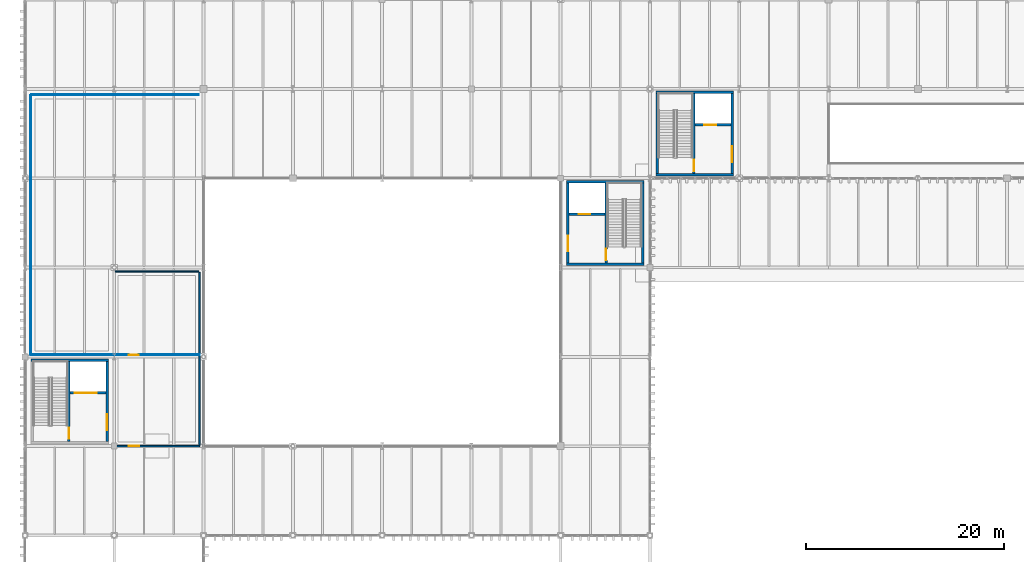
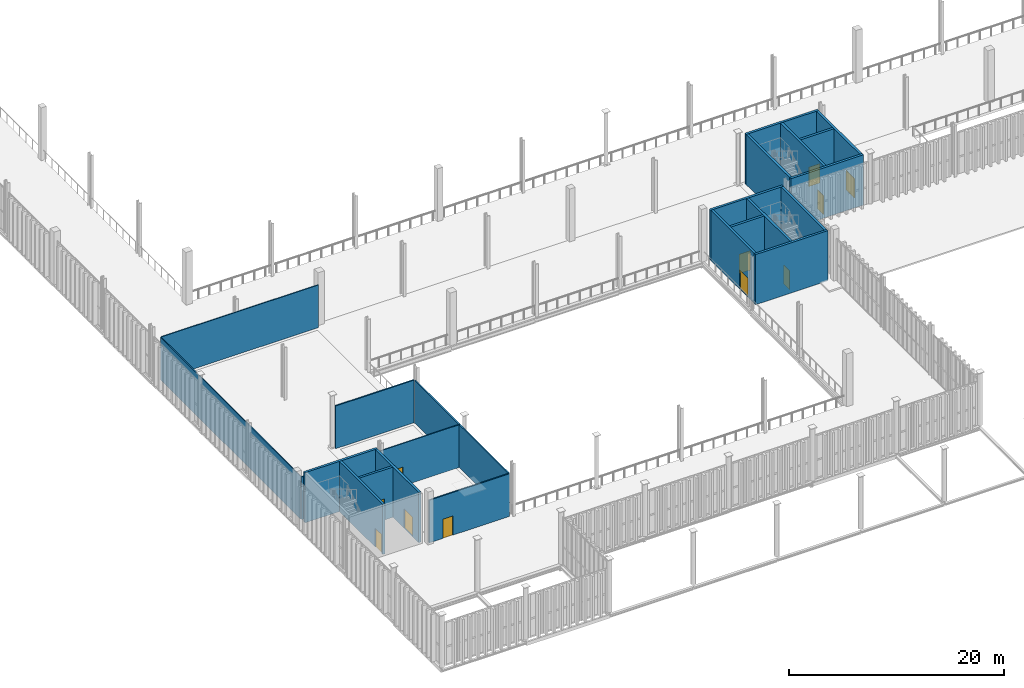
# One storey, part 176 of 211: 22 walls, 11 doors, 11 openings.
"""IFC4 building model written with IfcOpenShell, lengths in metres."""

from ifc_helpers import new_model, si_unit, direction, frame, frame_2d, origin, place, context, subcontext, project, spatial, rectangle, extrude, material, layer, layer_set, type_object, element, fill, save


model = new_model("IFC4")

# Units and contexts
model_context = context("Model", 3, precision=1e-05, world=origin(), true_north=direction((0.0, 1.0)))
body_context = subcontext(model_context, "Body", "Model", "MODEL_VIEW")
ifc_project = project(units=[si_unit("LENGTHUNIT", "METRE"), si_unit("AREAUNIT", "SQUARE_METRE"), si_unit("VOLUMEUNIT", "CUBIC_METRE"), si_unit("PLANEANGLEUNIT", "RADIAN"), si_unit("MASSUNIT", "GRAM", prefix="KILO")], contexts=[model_context])

# Site, building, storey
site_placement = place(None, origin())
site = spatial("IfcSite", under=ifc_project, at=site_placement, CompositionType="ELEMENT")
building_placement = place(site_placement, origin())
building = spatial("IfcBuilding", under=site, at=building_placement, Name="Barlavento Convention Centre", CompositionType="ELEMENT")
storey_placement = place(building_placement, frame((0.0, 0.0, 6.0)))
storey = spatial("IfcBuildingStorey", under=building, at=storey_placement, Name="L01", CompositionType="ELEMENT", Elevation=6.0)

# Wall, opening, door
ifc_material_1 = material(Name="Glazed office partition", Category="glass")
ifc_layer_1 = layer(ifc_material_1, 0.094970703125)
ifc_layer_set_1 = layer_set([ifc_layer_1], Name="ARC-WL-PART-095")
wall_type_1 = type_object("IfcWallType", Name="ARC-WL-PART-095", PredefinedType="PARTITIONING", material=ifc_layer_set_1)
wall_1_placement = place(storey_placement, frame((0.60009765625, 27.199951171875, 0.0), z_axis=(0.0, 0.0, 1.0), x_axis=(1.0, 0.0, 0.0)))
wall_1 = element("IfcWall", 1, at=wall_1_placement, inside=storey, type_object=wall_type_1, Name="L01 interior wall PT-07", PredefinedType="PARTITIONING", context=body_context, shape_type="SweptSolid", body=[
    extrude(rectangle(XDim=17.0, YDim=0.094970703125, at=frame_2d((8.5, 0.0))), origin(), (0.0, 0.0, 1.0), 4.85009765625),
])
opening_1_placement = place(wall_1_placement, frame((9.85009765625, 0.0, 0.0)))
opening_1 = element("IfcOpeningElement", 2, at=opening_1_placement, cuts=wall_1, Name="Opening ID-07", PredefinedType="OPENING", context=body_context, shape_type="SweptSolid", body=[
    extrude(rectangle(XDim=1.02001953125, YDim=2.14990234375, at=frame_2d((0.510009765625, 1.074951171875))), frame((0.0, 0.057373046875, 0.0), z_axis=(0.0, -1.0, 0.0), x_axis=(1.0, 0.0, 0.0)), (0.0, 0.0, 1.0), 0.114990234375),
])
ifc_material_2 = material(Name="Timber veneer acoustic core", Category="wood")
door_type_1 = type_object("IfcDoorType", Name="ARC-DR-ROOM-1020X2150", OperationType="NOTDEFINED", PredefinedType="DOOR", material=ifc_material_2)
door_1_placement = place(opening_1_placement, origin())
door_1 = element("IfcDoor", 3, at=door_1_placement, inside=storey, type_object=door_type_1, Name="DR-INT-L01-0222 L01 interior door ID-07", OperationType="SINGLE_SWING_LEFT", OverallHeight=2.14990234375, OverallWidth=1.02001953125, PredefinedType="DOOR", context=body_context, shape_type="SweptSolid", body=[
    extrude(rectangle(XDim=1.02001953125, YDim=2.14990234375, at=frame_2d((0.510009765625, 1.074951171875))), frame((0.0, 0.02490234375, 0.0), z_axis=(0.0, -1.0, 0.0), x_axis=(1.0, 0.0, 0.0)), (0.0, 0.0, 1.0), 0.050048828125),
])
fill(opening_1, door_1)

# Walls
wall_2_placement = place(storey_placement, frame((0.656982421875, 53.39990234375, 0.0), z_axis=(0.0, 0.0, 1.0), x_axis=(1.0, 0.0, 0.0)))
element("IfcWall", 4, at=wall_2_placement, inside=storey, type_object=wall_type_1, Name="L01 interior wall PT-07", PredefinedType="PARTITIONING", context=body_context, shape_type="SweptSolid", body=[
    extrude(rectangle(XDim=16.885986328125, YDim=0.094970703125, at=frame_2d((8.44287109375, 0.0))), origin(), (0.0, 0.0, 1.0), 4.85009765625),
])
wall_3_placement = place(storey_placement, frame((0.60009765625, 27.257080078125, 0.0), z_axis=(0.0, 0.0, 1.0), x_axis=(0.0, 1.0, 0.0)))
element("IfcWall", 5, at=wall_3_placement, inside=storey, type_object=wall_type_1, Name="L01 interior wall PT-07", PredefinedType="PARTITIONING", context=body_context, shape_type="SweptSolid", body=[
    extrude(rectangle(XDim=26.0859375, YDim=0.094970703125, at=frame_2d((13.04296875, 0.0))), origin(), (0.0, 0.0, 1.0), 4.85009765625),
])

# Wall, opening, door
ifc_material_3 = material(Name="Insulated gypsum partition")
ifc_layer_2 = layer(ifc_material_3, 0.139892578125)
ifc_layer_set_2 = layer_set([ifc_layer_2], Name="ARC-WL-PART-140")
wall_type_2 = type_object("IfcWallType", Name="ARC-WL-PART-140", PredefinedType="PARTITIONING", material=ifc_layer_set_2)
wall_4_placement = place(storey_placement, frame((9.0, 18.0, 0.0), z_axis=(0.0, 0.0, 1.0), x_axis=(1.0, 0.0, 0.0)))
wall_4 = element("IfcWall", 6, at=wall_4_placement, inside=storey, type_object=wall_type_2, Name="L01 interior wall PT-04", PredefinedType="PARTITIONING", context=body_context, shape_type="SweptSolid", body=[
    extrude(rectangle(XDim=8.60009765625, YDim=0.139892578125, at=frame_2d((4.300048828125, 0.0))), origin(), (0.0, 0.0, 1.0), 4.85009765625),
])
opening_2_placement = place(wall_4_placement, frame((1.449951171875, 0.0, 0.0)))
opening_2 = element("IfcOpeningElement", 7, at=opening_2_placement, cuts=wall_4, Name="Opening ID-06", PredefinedType="OPENING", context=body_context, shape_type="SweptSolid", body=[
    extrude(rectangle(XDim=1.080078125, YDim=2.179931640625, at=frame_2d((0.5400390625, 1.08984375))), frame((0.0, 0.079833984375, 0.0), z_axis=(0.0, -1.0, 0.0), x_axis=(1.0, 0.0, 0.0)), (0.0, 0.0, 1.0), 0.159912109375),
])
door_type_2 = type_object("IfcDoorType", Name="ARC-DR-ROOM-1080X2180", OperationType="NOTDEFINED", PredefinedType="DOOR", material=ifc_material_2)
door_2_placement = place(opening_2_placement, origin())
door_2 = element("IfcDoor", 8, at=door_2_placement, inside=storey, type_object=door_type_2, Name="DR-INT-L01-0221 L01 interior door ID-06", OperationType="SINGLE_SWING_RIGHT", OverallHeight=2.179931640625, OverallWidth=1.080078125, PredefinedType="DOOR", context=body_context, shape_type="SweptSolid", body=[
    extrude(rectangle(XDim=1.080078125, YDim=2.179931640625, at=frame_2d((0.5400390625, 1.08984375))), frame((0.0, 0.02490234375, 0.0), z_axis=(0.0, -1.0, 0.0), x_axis=(1.0, 0.0, 0.0)), (0.0, 0.0, 1.0), 0.050048828125),
])
fill(opening_2, door_2)

# Walls
wall_5_placement = place(storey_placement, frame((9.083984375, 35.60009765625, 0.0), z_axis=(0.0, 0.0, 1.0), x_axis=(1.0, 0.0, 0.0)))
element("IfcWall", 9, at=wall_5_placement, inside=storey, type_object=wall_type_2, Name="L01 interior wall PT-04", PredefinedType="PARTITIONING", context=body_context, shape_type="SweptSolid", body=[
    extrude(rectangle(XDim=8.43212890625, YDim=0.139892578125, at=frame_2d((4.216064453125, 0.0))), origin(), (0.0, 0.0, 1.0), 4.85009765625),
])
wall_6_placement = place(storey_placement, frame((17.60009765625, 18.083984375, 0.0), z_axis=(0.0, 0.0, 1.0), x_axis=(0.0, 1.0, 0.0)))
element("IfcWall", 10, at=wall_6_placement, inside=storey, type_object=wall_type_2, Name="L01 interior wall PT-04", PredefinedType="PARTITIONING", context=body_context, shape_type="SweptSolid", body=[
    extrude(rectangle(XDim=17.43212890625, YDim=0.139892578125, at=frame_2d((8.716064453125, 0.0))), origin(), (0.0, 0.0, 1.0), 4.85009765625),
])

# Wall, opening, door
ifc_material_4 = material(Name="Concrete C50/60", Category="concrete")
ifc_layer_3 = layer(ifc_material_4, 0.25)
ifc_layer_set_3 = layer_set([ifc_layer_3], Name="STR-WL-CORE-250")
wall_type_3 = type_object("IfcWallType", Name="STR-WL-CORE-250", PredefinedType="SHEAR", material=ifc_layer_set_3)
wall_7_placement = place(storey_placement, frame((8.27490234375, 18.469970703125, 0.0), z_axis=(0.0, 0.0, 1.0), x_axis=(0.0, 1.0, 0.0)))
wall_7 = element("IfcWall", 11, at=wall_7_placement, inside=storey, type_object=wall_type_3, Name="L01 interior wall CW-02", PredefinedType="SHEAR", context=body_context, shape_type="SweptSolid", body=[
    extrude(rectangle(XDim=8.06005859375, YDim=0.25, at=frame_2d((4.030029296875, 0.0))), origin(), (0.0, 0.0, 1.0), 5.699951171875),
])
opening_3_placement = place(wall_7_placement, frame((1.14990234375, 0.0, 0.0)))
opening_3 = element("IfcOpeningElement", 12, at=opening_3_placement, cuts=wall_7, Name="Opening FD-02", PredefinedType="OPENING", context=body_context, shape_type="SweptSolid", body=[
    extrude(rectangle(XDim=1.60009765625, YDim=2.199951171875, at=frame_2d((0.800048828125, 1.10009765625))), frame((0.0, 0.135009765625, 0.0), z_axis=(0.0, -1.0, 0.0), x_axis=(1.0, 0.0, 0.0)), (0.0, 0.0, 1.0), 0.27001953125),
])
ifc_material_5 = material(Name="Painted galvanized steel", Category="steel")
door_type_3 = type_object("IfcDoorType", Name="ARC-DR-FIRE-1600X2200", OperationType="DOUBLE_DOOR_SINGLE_SWING", PredefinedType="DOOR", material=ifc_material_5)
door_3_placement = place(opening_3_placement, origin())
door_3 = element("IfcDoor", 13, at=door_3_placement, inside=storey, type_object=door_type_3, Name="DR-INT-L01-0009 L01 LF1 lobby fire door", OperationType="DOUBLE_DOOR_SINGLE_SWING", OverallHeight=2.199951171875, OverallWidth=1.60009765625, PredefinedType="DOOR", context=body_context, shape_type="SweptSolid", body=[
    extrude(rectangle(XDim=1.60009765625, YDim=2.199951171875, at=frame_2d((0.800048828125, 1.10009765625))), frame((0.0, 0.02490234375, 0.0), z_axis=(0.0, -1.0, 0.0), x_axis=(1.0, 0.0, 0.0)), (0.0, 0.0, 1.0), 0.050048828125),
])
fill(opening_3, door_3)

# Wall
wall_8_placement = place(storey_placement, frame((0.60009765625, 26.655029296875, 0.0), z_axis=(0.0, 0.0, 1.0), x_axis=(1.0, 0.0, 0.0)))
element("IfcWall", 14, at=wall_8_placement, inside=storey, type_object=wall_type_3, Name="L01 interior wall CW-02", PredefinedType="SHEAR", context=body_context, shape_type="SweptSolid", body=[
    extrude(rectangle(XDim=7.7998046875, YDim=0.25, at=frame_2d((3.89990234375, 0.0))), origin(), (0.0, 0.0, 1.0), 5.699951171875),
])

# Wall, opening, door
wall_9_placement = place(storey_placement, frame((4.4150390625, 18.469970703125, 0.0), z_axis=(0.0, 0.0, 1.0), x_axis=(0.0, 1.0, 0.0)))
wall_9 = element("IfcWall", 15, at=wall_9_placement, inside=storey, type_object=wall_type_3, Name="L01 interior wall CW-02", PredefinedType="SHEAR", context=body_context, shape_type="SweptSolid", body=[
    extrude(rectangle(XDim=8.06005859375, YDim=0.25, at=frame_2d((4.030029296875, 0.0))), origin(), (0.0, 0.0, 1.0), 5.699951171875),
])
opening_4_placement = place(wall_9_placement, frame((0.25, 0.0, 0.0)))
opening_4 = element("IfcOpeningElement", 16, at=opening_4_placement, cuts=wall_9, Name="Opening FD-03", PredefinedType="OPENING", context=body_context, shape_type="SweptSolid", body=[
    extrude(rectangle(XDim=1.14990234375, YDim=2.14990234375, at=frame_2d((0.574951171875, 1.074951171875))), frame((0.0, 0.135009765625, 0.0), z_axis=(0.0, -1.0, 0.0), x_axis=(1.0, 0.0, 0.0)), (0.0, 0.0, 1.0), 0.27001953125),
])
door_type_4 = type_object("IfcDoorType", Name="ARC-DR-FIRE-1150X2150", OperationType="NOTDEFINED", PredefinedType="DOOR", material=ifc_material_5)
door_4_placement = place(opening_4_placement, origin())
door_4 = element("IfcDoor", 17, at=door_4_placement, inside=storey, type_object=door_type_4, Name="DR-INT-L01-0007 L01 ST01 stair fire door FD-03", OperationType="SINGLE_SWING_LEFT", OverallHeight=2.14990234375, OverallWidth=1.14990234375, PredefinedType="DOOR", context=body_context, shape_type="SweptSolid", body=[
    extrude(rectangle(XDim=1.14990234375, YDim=2.14990234375, at=frame_2d((0.574951171875, 1.074951171875))), frame((0.0, 0.02490234375, 0.0), z_axis=(0.0, -1.0, 0.0), x_axis=(1.0, 0.0, 0.0)), (0.0, 0.0, 1.0), 0.050048828125),
])
fill(opening_4, door_4)

wall_10_placement = place(storey_placement, frame((4.5400390625, 23.3701171875, 0.0), z_axis=(0.0, 0.0, 1.0), x_axis=(1.0, 0.0, 0.0)))
wall_10 = element("IfcWall", 18, at=wall_10_placement, inside=storey, type_object=wall_type_3, Name="L01 interior wall CW-02", PredefinedType="SHEAR", context=body_context, shape_type="SweptSolid", body=[
    extrude(rectangle(XDim=3.60986328125, YDim=0.25, at=frame_2d((1.804931640625, 0.0))), origin(), (0.0, 0.0, 1.0), 5.699951171875),
])
opening_5_placement = place(wall_10_placement, frame((0.5, 0.0, 0.0)))
opening_5 = element("IfcOpeningElement", 19, at=opening_5_placement, cuts=wall_10, Name="Opening LD-03", PredefinedType="OPENING", context=body_context, shape_type="SweptSolid", body=[
    extrude(rectangle(XDim=2.199951171875, YDim=2.39990234375, at=frame_2d((1.10009765625, 1.199951171875))), frame((0.0, 0.135009765625, 0.0), z_axis=(0.0, -1.0, 0.0), x_axis=(1.0, 0.0, 0.0)), (0.0, 0.0, 1.0), 0.27001953125),
])
ifc_material_6 = material(Name="Brushed stainless steel", Category="steel")
door_type_5 = type_object("IfcDoorType", Name="ARC-DR-LIFT-2200X2400", OperationType="DOUBLE_DOOR_SLIDING", PredefinedType="DOOR", material=ifc_material_6)
door_5_placement = place(opening_5_placement, origin())
door_5 = element("IfcDoor", 20, at=door_5_placement, inside=storey, type_object=door_type_5, Name="DR-INT-L01-0008 LF1 lift sliding landing door", OperationType="DOUBLE_DOOR_SLIDING", OverallHeight=2.39990234375, OverallWidth=2.199951171875, PredefinedType="DOOR", context=body_context, shape_type="SweptSolid", body=[
    extrude(rectangle(XDim=2.199951171875, YDim=2.39990234375, at=frame_2d((1.10009765625, 1.199951171875))), frame((0.0, 0.02490234375, 0.0), z_axis=(0.0, -1.0, 0.0), x_axis=(1.0, 0.0, 0.0)), (0.0, 0.0, 1.0), 0.050048828125),
])
fill(opening_5, door_5)

wall_11_placement = place(storey_placement, frame((54.72509765625, 36.469970703125, 0.0), z_axis=(0.0, 0.0, 1.0), x_axis=(0.0, 1.0, 0.0)))
wall_11 = element("IfcWall", 21, at=wall_11_placement, inside=storey, type_object=wall_type_3, Name="L01 interior wall CW-02", PredefinedType="SHEAR", context=body_context, shape_type="SweptSolid", body=[
    extrude(rectangle(XDim=8.06005859375, YDim=0.25, at=frame_2d((4.030029296875, 0.0))), origin(), (0.0, 0.0, 1.0), 5.699951171875),
])
opening_6_placement = place(wall_11_placement, frame((1.14990234375, 0.0, 0.0)))
opening_6 = element("IfcOpeningElement", 22, at=opening_6_placement, cuts=wall_11, Name="Opening FD-02", PredefinedType="OPENING", context=body_context, shape_type="SweptSolid", body=[
    extrude(rectangle(XDim=1.60009765625, YDim=2.199951171875, at=frame_2d((0.800048828125, 1.10009765625))), frame((0.0, 0.135009765625, 0.0), z_axis=(0.0, -1.0, 0.0), x_axis=(1.0, 0.0, 0.0)), (0.0, 0.0, 1.0), 0.27001953125),
])
door_6_placement = place(opening_6_placement, origin())
door_6 = element("IfcDoor", 23, at=door_6_placement, inside=storey, type_object=door_type_3, Name="DR-INT-L01-0021 L01 LP1 lobby fire door", OperationType="DOUBLE_DOOR_SINGLE_SWING", OverallHeight=2.199951171875, OverallWidth=1.60009765625, PredefinedType="DOOR", context=body_context, shape_type="SweptSolid", body=[
    extrude(rectangle(XDim=1.60009765625, YDim=2.199951171875, at=frame_2d((0.800048828125, 1.10009765625))), frame((0.0, 0.02490234375, 0.0), z_axis=(0.0, -1.0, 0.0), x_axis=(1.0, 0.0, 0.0)), (0.0, 0.0, 1.0), 0.050048828125),
])
fill(opening_6, door_6)

# Walls
wall_12_placement = place(storey_placement, frame((62.27490234375, 36.469970703125, 0.0), z_axis=(0.0, 0.0, 1.0), x_axis=(0.0, 1.0, 0.0)))
element("IfcWall", 24, at=wall_12_placement, inside=storey, type_object=wall_type_3, Name="L01 interior wall CW-02", PredefinedType="SHEAR", context=body_context, shape_type="SweptSolid", body=[
    extrude(rectangle(XDim=8.06005859375, YDim=0.25, at=frame_2d((4.030029296875, 0.0))), origin(), (0.0, 0.0, 1.0), 5.699951171875),
])
for number, where, z_axis, x_axis, name in (
    (25, (54.60009765625, 36.344970703125, 0.0), (0.0, 0.0, 1.0), (1.0, 0.0, 0.0), "L01 interior wall CW-02"),
    (26, (54.60009765625, 44.655029296875, 0.0), (0.0, 0.0, 1.0), (1.0, 0.0, 0.0), "L01 interior wall CW-02"),
):
    element("IfcWall", number, at=place(storey_placement, frame(where, z_axis=z_axis, x_axis=x_axis)), inside=storey, type_object=wall_type_3, Name=name, PredefinedType="SHEAR", context=body_context, shape_type="SweptSolid", body=[
        extrude(rectangle(XDim=7.7998046875, YDim=0.25, at=frame_2d((3.89990234375, 0.0))), origin(), (0.0, 0.0, 1.0), 5.699951171875),
    ])

# Wall, opening, door
wall_13_placement = place(storey_placement, frame((58.5849609375, 36.469970703125, 0.0), z_axis=(0.0, 0.0, 1.0), x_axis=(0.0, 1.0, 0.0)))
wall_13 = element("IfcWall", 27, at=wall_13_placement, inside=storey, type_object=wall_type_3, Name="L01 interior wall CW-02", PredefinedType="SHEAR", context=body_context, shape_type="SweptSolid", body=[
    extrude(rectangle(XDim=8.06005859375, YDim=0.25, at=frame_2d((4.030029296875, 0.0))), origin(), (0.0, 0.0, 1.0), 5.699951171875),
])
opening_7_placement = place(wall_13_placement, frame((0.25, 0.0, 0.0)))
opening_7 = element("IfcOpeningElement", 28, at=opening_7_placement, cuts=wall_13, Name="Opening FD-03", PredefinedType="OPENING", context=body_context, shape_type="SweptSolid", body=[
    extrude(rectangle(XDim=1.14990234375, YDim=2.14990234375, at=frame_2d((0.574951171875, 1.074951171875))), frame((0.0, 0.135009765625, 0.0), z_axis=(0.0, -1.0, 0.0), x_axis=(1.0, 0.0, 0.0)), (0.0, 0.0, 1.0), 0.27001953125),
])
door_7_placement = place(opening_7_placement, origin())
door_7 = element("IfcDoor", 29, at=door_7_placement, inside=storey, type_object=door_type_4, Name="DR-INT-L01-0019 L01 ST02 stair fire door FD-03", OperationType="SINGLE_SWING_LEFT", OverallHeight=2.14990234375, OverallWidth=1.14990234375, PredefinedType="DOOR", context=body_context, shape_type="SweptSolid", body=[
    extrude(rectangle(XDim=1.14990234375, YDim=2.14990234375, at=frame_2d((0.574951171875, 1.074951171875))), frame((0.0, 0.02490234375, 0.0), z_axis=(0.0, -1.0, 0.0), x_axis=(1.0, 0.0, 0.0)), (0.0, 0.0, 1.0), 0.050048828125),
])
fill(opening_7, door_7)

wall_14_placement = place(storey_placement, frame((54.85009765625, 41.3701171875, 0.0), z_axis=(0.0, 0.0, 1.0), x_axis=(1.0, 0.0, 0.0)))
wall_14 = element("IfcWall", 30, at=wall_14_placement, inside=storey, type_object=wall_type_3, Name="L01 interior wall CW-02", PredefinedType="SHEAR", context=body_context, shape_type="SweptSolid", body=[
    extrude(rectangle(XDim=3.60986328125, YDim=0.25, at=frame_2d((1.804931640625, 0.0))), origin(), (0.0, 0.0, 1.0), 5.699951171875),
])
opening_8_placement = place(wall_14_placement, frame((0.949951171875, 0.0, 0.0)))
opening_8 = element("IfcOpeningElement", 31, at=opening_8_placement, cuts=wall_14, Name="Opening LD-01", PredefinedType="OPENING", context=body_context, shape_type="SweptSolid", body=[
    extrude(rectangle(XDim=1.199951171875, YDim=2.199951171875, at=frame_2d((0.60009765625, 1.10009765625))), frame((0.0, 0.135009765625, 0.0), z_axis=(0.0, -1.0, 0.0), x_axis=(1.0, 0.0, 0.0)), (0.0, 0.0, 1.0), 0.27001953125),
])
door_type_6 = type_object("IfcDoorType", Name="ARC-DR-LIFT-1200X2200", OperationType="DOUBLE_DOOR_SLIDING", PredefinedType="DOOR", material=ifc_material_6)
door_8_placement = place(opening_8_placement, origin())
door_8 = element("IfcDoor", 32, at=door_8_placement, inside=storey, type_object=door_type_6, Name="DR-INT-L01-0020 LP1 lift sliding landing door", OperationType="DOUBLE_DOOR_SLIDING", OverallHeight=2.199951171875, OverallWidth=1.199951171875, PredefinedType="DOOR", context=body_context, shape_type="SweptSolid", body=[
    extrude(rectangle(XDim=1.199951171875, YDim=2.199951171875, at=frame_2d((0.60009765625, 1.10009765625))), frame((0.0, 0.02490234375, 0.0), z_axis=(0.0, -1.0, 0.0), x_axis=(1.0, 0.0, 0.0)), (0.0, 0.0, 1.0), 0.050048828125),
])
fill(opening_8, door_8)

# Wall
wall_15_placement = place(storey_placement, frame((63.72509765625, 45.469970703125, 0.0), z_axis=(0.0, 0.0, 1.0), x_axis=(0.0, 1.0, 0.0)))
element("IfcWall", 33, at=wall_15_placement, inside=storey, type_object=wall_type_3, Name="L01 interior wall CW-02", PredefinedType="SHEAR", context=body_context, shape_type="SweptSolid", body=[
    extrude(rectangle(XDim=8.06005859375, YDim=0.25, at=frame_2d((4.030029296875, 0.0))), origin(), (0.0, 0.0, 1.0), 5.7099609375),
])

# Wall, opening, door
wall_16_placement = place(storey_placement, frame((71.27490234375, 45.469970703125, 0.0), z_axis=(0.0, 0.0, 1.0), x_axis=(0.0, 1.0, 0.0)))
wall_16 = element("IfcWall", 34, at=wall_16_placement, inside=storey, type_object=wall_type_3, Name="L01 interior wall CW-02", PredefinedType="SHEAR", context=body_context, shape_type="SweptSolid", body=[
    extrude(rectangle(XDim=8.06005859375, YDim=0.25, at=frame_2d((4.030029296875, 0.0))), origin(), (0.0, 0.0, 1.0), 5.7099609375),
])
opening_9_placement = place(wall_16_placement, frame((1.14990234375, 0.0, 0.0)))
opening_9 = element("IfcOpeningElement", 35, at=opening_9_placement, cuts=wall_16, Name="Opening FD-02", PredefinedType="OPENING", context=body_context, shape_type="SweptSolid", body=[
    extrude(rectangle(XDim=1.60009765625, YDim=2.199951171875, at=frame_2d((0.800048828125, 1.10009765625))), frame((0.0, 0.135009765625, 0.0), z_axis=(0.0, -1.0, 0.0), x_axis=(1.0, 0.0, 0.0)), (0.0, 0.0, 1.0), 0.27001953125),
])
door_9_placement = place(opening_9_placement, origin())
door_9 = element("IfcDoor", 36, at=door_9_placement, inside=storey, type_object=door_type_3, Name="DR-INT-L01-0033 L01 LP2 lobby fire door", OperationType="DOUBLE_DOOR_SINGLE_SWING", OverallHeight=2.199951171875, OverallWidth=1.60009765625, PredefinedType="DOOR", context=body_context, shape_type="SweptSolid", body=[
    extrude(rectangle(XDim=1.60009765625, YDim=2.199951171875, at=frame_2d((0.800048828125, 1.10009765625))), frame((0.0, 0.02490234375, 0.0), z_axis=(0.0, -1.0, 0.0), x_axis=(1.0, 0.0, 0.0)), (0.0, 0.0, 1.0), 0.050048828125),
])
fill(opening_9, door_9)

# Walls
for number, where, z_axis, x_axis, name in (
    (37, (63.60009765625, 45.344970703125, 0.0), (0.0, 0.0, 1.0), (1.0, 0.0, 0.0), "L01 interior wall CW-02"),
    (38, (63.60009765625, 53.655029296875, 0.0), (0.0, 0.0, 1.0), (1.0, 0.0, 0.0), "L01 interior wall CW-02"),
):
    element("IfcWall", number, at=place(storey_placement, frame(where, z_axis=z_axis, x_axis=x_axis)), inside=storey, type_object=wall_type_3, Name=name, PredefinedType="SHEAR", context=body_context, shape_type="SweptSolid", body=[
        extrude(rectangle(XDim=7.7998046875, YDim=0.25, at=frame_2d((3.89990234375, 0.0))), origin(), (0.0, 0.0, 1.0), 5.7099609375),
    ])

# Wall, opening, door
wall_17_placement = place(storey_placement, frame((67.4150390625, 45.469970703125, 0.0), z_axis=(0.0, 0.0, 1.0), x_axis=(0.0, 1.0, 0.0)))
wall_17 = element("IfcWall", 39, at=wall_17_placement, inside=storey, type_object=wall_type_3, Name="L01 interior wall CW-02", PredefinedType="SHEAR", context=body_context, shape_type="SweptSolid", body=[
    extrude(rectangle(XDim=8.06005859375, YDim=0.25, at=frame_2d((4.030029296875, 0.0))), origin(), (0.0, 0.0, 1.0), 5.7099609375),
])
opening_10_placement = place(wall_17_placement, frame((0.25, 0.0, 0.0)))
opening_10 = element("IfcOpeningElement", 40, at=opening_10_placement, cuts=wall_17, Name="Opening FD-03", PredefinedType="OPENING", context=body_context, shape_type="SweptSolid", body=[
    extrude(rectangle(XDim=1.14990234375, YDim=2.14990234375, at=frame_2d((0.574951171875, 1.074951171875))), frame((0.0, 0.135009765625, 0.0), z_axis=(0.0, -1.0, 0.0), x_axis=(1.0, 0.0, 0.0)), (0.0, 0.0, 1.0), 0.27001953125),
])
door_10_placement = place(opening_10_placement, origin())
door_10 = element("IfcDoor", 41, at=door_10_placement, inside=storey, type_object=door_type_4, Name="DR-INT-L01-0031 L01 ST03 stair fire door FD-03", OperationType="SINGLE_SWING_LEFT", OverallHeight=2.14990234375, OverallWidth=1.14990234375, PredefinedType="DOOR", context=body_context, shape_type="SweptSolid", body=[
    extrude(rectangle(XDim=1.14990234375, YDim=2.14990234375, at=frame_2d((0.574951171875, 1.074951171875))), frame((0.0, 0.02490234375, 0.0), z_axis=(0.0, -1.0, 0.0), x_axis=(1.0, 0.0, 0.0)), (0.0, 0.0, 1.0), 0.050048828125),
])
fill(opening_10, door_10)

wall_18_placement = place(storey_placement, frame((67.5400390625, 50.3701171875, 0.0), z_axis=(0.0, 0.0, 1.0), x_axis=(1.0, 0.0, 0.0)))
wall_18 = element("IfcWall", 42, at=wall_18_placement, inside=storey, type_object=wall_type_3, Name="L01 interior wall CW-02", PredefinedType="SHEAR", context=body_context, shape_type="SweptSolid", body=[
    extrude(rectangle(XDim=3.60986328125, YDim=0.25, at=frame_2d((1.804931640625, 0.0))), origin(), (0.0, 0.0, 1.0), 5.7099609375),
])
opening_11_placement = place(wall_18_placement, frame((0.949951171875, 0.0, 0.0)))
opening_11 = element("IfcOpeningElement", 43, at=opening_11_placement, cuts=wall_18, Name="Opening LD-01", PredefinedType="OPENING", context=body_context, shape_type="SweptSolid", body=[
    extrude(rectangle(XDim=1.199951171875, YDim=2.199951171875, at=frame_2d((0.60009765625, 1.10009765625))), frame((0.0, 0.135009765625, 0.0), z_axis=(0.0, -1.0, 0.0), x_axis=(1.0, 0.0, 0.0)), (0.0, 0.0, 1.0), 0.27001953125),
])
door_11_placement = place(opening_11_placement, origin())
door_11 = element("IfcDoor", 44, at=door_11_placement, inside=storey, type_object=door_type_6, Name="DR-INT-L01-0032 LP2 lift sliding landing door", OperationType="DOUBLE_DOOR_SLIDING", OverallHeight=2.199951171875, OverallWidth=1.199951171875, PredefinedType="DOOR", context=body_context, shape_type="SweptSolid", body=[
    extrude(rectangle(XDim=1.199951171875, YDim=2.199951171875, at=frame_2d((0.60009765625, 1.10009765625))), frame((0.0, 0.02490234375, 0.0), z_axis=(0.0, -1.0, 0.0), x_axis=(1.0, 0.0, 0.0)), (0.0, 0.0, 1.0), 0.050048828125),
])
fill(opening_11, door_11)

save(model, "model.ifc")
